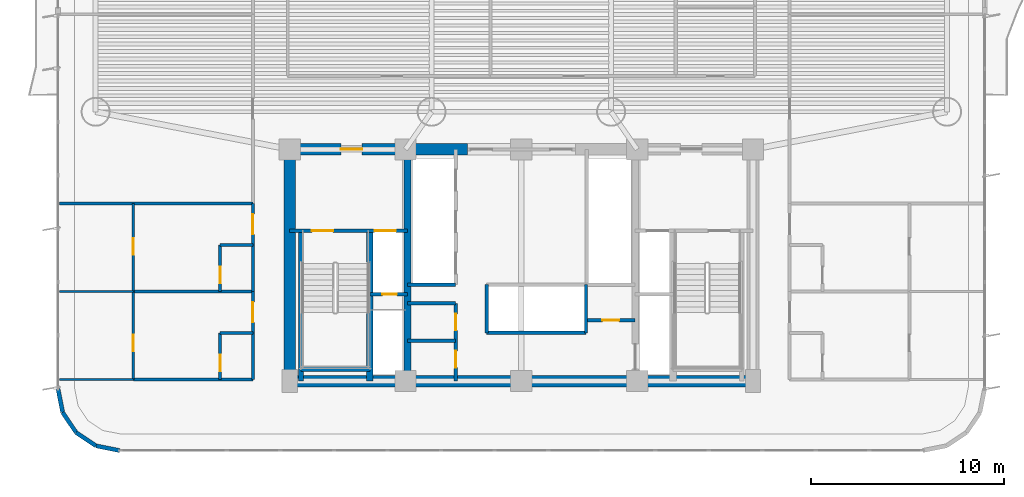
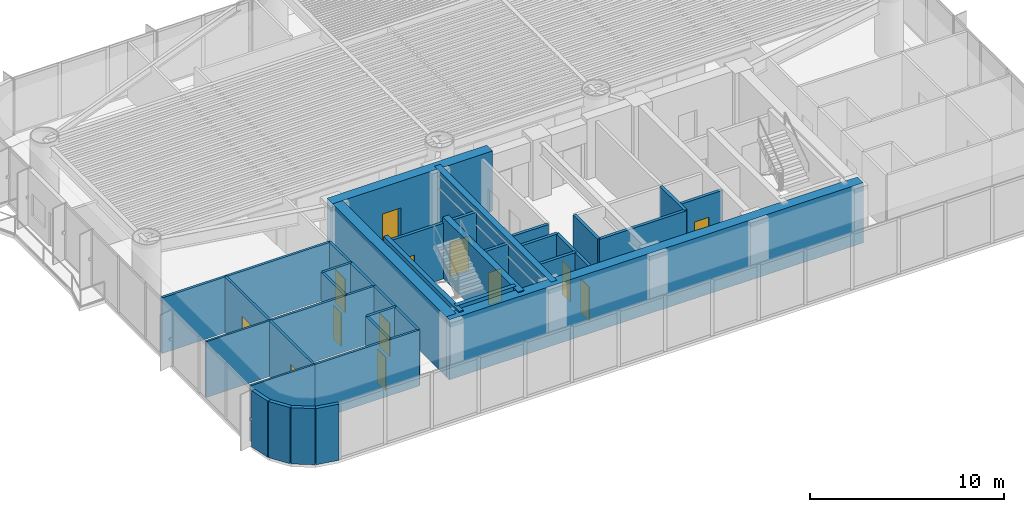
# One storey, part 10 of 17: 36 walls, 13 doors, 13 openings.
"""IFC4 building model written with IfcOpenShell, lengths in metres."""

from ifc_helpers import new_model, si_unit, direction, frame, frame_2d, origin, origin_2d, place, context, subcontext, project, spatial, rectangle, extrude, source, transform, mapped, material, layer, layer_set, type_object, element, fill, save


model = new_model("IFC4")

# Units and contexts
model_context = context("Model", 3, precision=1e-05, world=origin(), true_north=direction((0.0, 1.0)))
body_context = subcontext(model_context, "Body", "Model", "MODEL_VIEW")
ifc_project = project(units=[si_unit("LENGTHUNIT", "METRE"), si_unit("AREAUNIT", "SQUARE_METRE"), si_unit("VOLUMEUNIT", "CUBIC_METRE"), si_unit("PLANEANGLEUNIT", "RADIAN"), si_unit("MASSUNIT", "GRAM", prefix="KILO")], contexts=[model_context])

# Site, building, storey
site_placement = place(None, origin())
site = spatial("IfcSite", under=ifc_project, at=site_placement, CompositionType="ELEMENT")
building_placement = place(site_placement, origin())
building = spatial("IfcBuilding", under=site, at=building_placement, Name="Brelvock Crest Care Tower", CompositionType="ELEMENT")
storey_placement = place(building_placement, frame((0.0, 0.0, 45.89990234375)))
storey = spatial("IfcBuildingStorey", under=building, at=storey_placement, Name="L11", CompositionType="ELEMENT", Elevation=45.89990234375)

# Walls
ifc_material_1 = material(Name="Concrete S80 (80 MPa)", Category="concrete")
ifc_layer_1 = layer(ifc_material_1, 0.60009765625, Name="WL-CS1")
ifc_layer_set_1 = layer_set([ifc_layer_1], Name="Concrete S80 (80 MPa)")
wall_type_1 = type_object("IfcWallType", Name="WL-CS1", PredefinedType="SHEAR", material=ifc_layer_set_1)
wall_1_placement = place(storey_placement, frame((48.300048828125, 6.0, 0.0), z_axis=(0.0, 0.0, 1.0), x_axis=(-1.0, 0.0, 0.0)))
element("IfcWall", 1, at=wall_1_placement, inside=storey, type_object=wall_type_1, Name="L11 Core South Shear Wall", PredefinedType="SHEAR", context=body_context, shape_type="SweptSolid", body=[
    extrude(rectangle(XDim=24.60009765625, YDim=0.60009765625, at=frame_2d((12.300048828125, 0.0))), origin(), (0.0, 0.0, 1.0), 3.780029296875),
])
wall_2_placement = place(storey_placement, frame((24.0, 6.0, 0.0), z_axis=(0.0, 0.0, 1.0), x_axis=(0.0, 1.0, 0.0)))
element("IfcWall", 2, at=wall_2_placement, inside=storey, type_object=wall_type_1, Name="L11 Core West Shear Wall", PredefinedType="SHEAR", context=body_context, shape_type="SweptSolid", body=[
    extrude(rectangle(XDim=12.0, YDim=0.60009765625, at=frame_2d((6.0, 0.0))), origin(), (0.0, 0.0, 1.0), 3.780029296875),
])

# Wall, opening, door
wall_3_placement = place(storey_placement, frame((23.699951171875, 18.0, 0.0), z_axis=(0.0, 0.0, 1.0), x_axis=(1.0, 0.0, 0.0)))
wall_3 = element("IfcWall", 3, at=wall_3_placement, inside=storey, type_object=wall_type_1, Name="L11 Core North-West Shear Wall", PredefinedType="SHEAR", context=body_context, shape_type="SweptSolid", body=[
    extrude(rectangle(XDim=9.5, YDim=0.60009765625, at=frame_2d((4.75, 0.0))), origin(), (0.0, 0.0, 1.0), 3.780029296875),
])
opening_1_placement = place(wall_3_placement, frame((2.949951171875, 0.0, 0.0)))
opening_1 = element("IfcOpeningElement", 4, at=opening_1_placement, cuts=wall_3, Name="Opening FD-1", PredefinedType="OPENING", context=body_context, shape_type="SweptSolid", body=[
    extrude(rectangle(XDim=1.10009765625, YDim=2.10009765625, at=origin_2d()), frame((0.550048828125, 0.31005859375, 1.050048828125), z_axis=(0.0, -1.0, 0.0), x_axis=(1.0, 0.0, 0.0)), (0.0, 0.0, 1.0), 0.6201171875),
])
ifc_material_2 = material(Name="Steel Grade 350", Category="steel")
door_type_1 = type_object("IfcDoorType", Name="DR-FFL1", OperationType="NOTDEFINED", PredefinedType="DOOR", material=ifc_material_2)
shared_shape_1 = source(origin(), body_context, "Body", "SweptSolid", [
    extrude(rectangle(XDim=1.10009765625, YDim=2.10009765625, at=origin_2d()), frame((0.550048828125, 0.02490234375, 1.050048828125), z_axis=(0.0, -1.0, 0.0), x_axis=(1.0, 0.0, 0.0)), (0.0, 0.0, 1.0), 0.050048828125),
])
door_1_placement = place(opening_1_placement, origin())
door_1 = element("IfcDoor", 5, at=door_1_placement, inside=storey, type_object=door_type_1, Name="L11 Firefighting Lobby FFL-1 Exit Door", OperationType="SINGLE_SWING_LEFT", OverallHeight=2.10009765625, OverallWidth=1.10009765625, PredefinedType="DOOR", context=body_context, shape_type="MappedRepresentation", body=[
    mapped(shared_shape_1, transform((0.0, 0.0, 0.0), x_axis=(1.0, 0.0, 0.0), y_axis=(0.0, 1.0, 0.0), z_axis=(0.0, 0.0, 1.0), scale=1.0)),
])
fill(opening_1, door_1)

# Walls
ifc_layer_2 = layer(ifc_material_1, 0.35009765625, Name="WL-CS5")
ifc_layer_set_2 = layer_set([ifc_layer_2], Name="Concrete S80 (80 MPa)")
wall_type_2 = type_object("IfcWallType", Name="WL-CS5", PredefinedType="SHEAR", material=ifc_layer_set_2)
wall_4_placement = place(storey_placement, frame((30.10009765625, 6.0, 0.0), z_axis=(0.0, 0.0, 1.0), x_axis=(0.0, 1.0, 0.0)))
element("IfcWall", 6, at=wall_4_placement, inside=storey, type_object=wall_type_2, Name="L11 Core Internal Web Wall West", PredefinedType="SHEAR", context=body_context, shape_type="SweptSolid", body=[
    extrude(rectangle(XDim=12.0, YDim=0.35009765625, at=frame_2d((6.0, 0.0))), origin(), (0.0, 0.0, 1.0), 3.780029296875),
])
wall_5_placement = place(storey_placement, frame((28.14990234375, 6.0, 0.0), z_axis=(0.0, 0.0, 1.0), x_axis=(0.0, 1.0, 0.0)))
element("IfcWall", 7, at=wall_5_placement, inside=storey, type_object=wall_type_2, Name="L11 Core Stair ST-1 East Shear Wall", PredefinedType="SHEAR", context=body_context, shape_type="SweptSolid", body=[
    extrude(rectangle(XDim=7.780029296875, YDim=0.35009765625, at=frame_2d((3.89013671875, 0.0))), origin(), (0.0, 0.0, 1.0), 3.85009765625),
])
ifc_layer_3 = layer(ifc_material_1, 0.25, Name="WL-CS6")
ifc_layer_set_3 = layer_set([ifc_layer_3], Name="Concrete S80 (80 MPa)")
wall_type_3 = type_object("IfcWallType", Name="WL-CS6", PredefinedType="SHEAR", material=ifc_layer_set_3)
wall_6_placement = place(storey_placement, frame((24.580078125, 6.0, 0.0), z_axis=(0.0, 0.0, 1.0), x_axis=(0.0, 1.0, 0.0)))
element("IfcWall", 8, at=wall_6_placement, inside=storey, type_object=wall_type_3, Name="L11 Core Stair ST-1 West Shear Wall", PredefinedType="SHEAR", context=body_context, shape_type="SweptSolid", body=[
    extrude(rectangle(XDim=7.780029296875, YDim=0.25, at=frame_2d((3.89013671875, 0.0))), origin(), (0.0, 0.0, 1.0), 3.85009765625),
])
wall_7_placement = place(storey_placement, frame((24.580078125, 6.6201171875, 0.0), z_axis=(0.0, 0.0, 1.0), x_axis=(1.0, 0.0, 0.0)))
element("IfcWall", 9, at=wall_7_placement, inside=storey, type_object=wall_type_3, Name="L11 Core Stair ST-1 South Shear Wall", PredefinedType="SHEAR", context=body_context, shape_type="SweptSolid", body=[
    extrude(rectangle(XDim=3.56982421875, YDim=0.25, at=frame_2d((1.784912109375, 0.0))), origin(), (0.0, 0.0, 1.0), 3.85009765625),
])
ifc_material_3 = material(Name="Precast concrete N40 (40 MPa)", Category="concrete")
ifc_layer_4 = layer(ifc_material_3, 0.215087890625, Name="WL-EX2")
ifc_layer_set_4 = layer_set([ifc_layer_4], Name="Precast concrete N40 (40 MPa)")
wall_type_4 = type_object("IfcWallType", Name="WL-EX2", PredefinedType="SOLIDWALL", material=ifc_layer_set_4)
for number, where, z_axis, x_axis, name in (
    (10, (15.199951171875, 2.39990234375, 0.0), (0.0, 0.0, 1.0), (-0.980775717779, 0.195138390419, 0.0), "L11 Rounded Corner Wall 09"),
    (11, (13.975341796875, 2.6435546875, 0.0), (0.0, 0.0, 1.0), (-0.831387912822, 0.555692485475, 0.0), "L11 Rounded Corner Wall 10"),
    (12, (12.937255859375, 3.33740234375, 0.0), (0.0, 0.0, 1.0), (-0.555557312883, 0.831478245117, 0.0), "L11 Rounded Corner Wall 11"),
    (13, (12.24365234375, 4.37548828125, 0.0), (0.0, 0.0, 1.0), (-0.195138390419, 0.980775717779, 0.0), "L11 Rounded Corner Wall 12"),
):
    element("IfcWall", number, at=place(storey_placement, frame(where, z_axis=z_axis, x_axis=x_axis)), inside=storey, type_object=wall_type_4, Name=name, PredefinedType="SOLIDWALL", context=body_context, shape_type="SweptSolid", body=[
        extrude(rectangle(XDim=1.24853515625, YDim=0.215087890625, at=frame_2d((0.624267578125, 0.0))), origin(), (0.0, 0.0, 1.0), 3.530029296875),
    ])
ifc_material_4 = material(Name="Masonry Blockwork Acoustic Partition", Category="masonry")
ifc_layer_5 = layer(ifc_material_4, 0.14990234375, Name="WL-INT1")
ifc_layer_set_5 = layer_set([ifc_layer_5], Name="Masonry Blockwork Acoustic Partition")
wall_type_5 = type_object("IfcWallType", Name="WL-INT1", PredefinedType="PARTITIONING", material=ifc_layer_set_5)
for number, where, z_axis, x_axis, name in (
    (14, (15.89990234375, 6.080078125, 0.0), (0.0, 0.0, 1.0), (1.0, 0.0, 0.0), "L11 Interior Wall WL-BX-L11-CS-WR1A-S"),
    (15, (15.89990234375, 10.639892578125, 0.0), (0.0, 0.0, 1.0), (1.0, 0.0, 0.0), "L11 Interior Wall WL-BX-L11-CS-WR1A-N"),
):
    element("IfcWall", number, at=place(storey_placement, frame(where, z_axis=z_axis, x_axis=x_axis)), inside=storey, type_object=wall_type_5, Name=name, PredefinedType="PARTITIONING", context=body_context, shape_type="SweptSolid", body=[
        extrude(rectangle(XDim=6.2001953125, YDim=0.14990234375, at=frame_2d((3.10009765625, 0.0))), origin(), (0.0, 0.0, 1.0), 3.5),
    ])
wall_8_placement = place(storey_placement, frame((12.080078125, 15.199951171875, 0.0), z_axis=(0.0, 0.0, 1.0), x_axis=(1.0, 0.0, 0.0)))
element("IfcWall", 16, at=wall_8_placement, inside=storey, type_object=wall_type_5, Name="L11 Interior Wall WL-BX-L11-WCL2-S", PredefinedType="PARTITIONING", context=body_context, shape_type="SweptSolid", body=[
    extrude(rectangle(XDim=10.02001953125, YDim=0.14990234375, at=frame_2d((5.010009765625, 0.0))), origin(), (0.0, 0.0, 1.0), 3.5),
])

# Wall, opening, door
wall_9_placement = place(storey_placement, frame((15.89990234375, 6.080078125, 0.0), z_axis=(0.0, 0.0, 1.0), x_axis=(0.0, 1.0, 0.0)))
wall_9 = element("IfcWall", 17, at=wall_9_placement, inside=storey, type_object=wall_type_5, Name="L11 Interior Wall WL-RM-L11-WR1AS", PredefinedType="PARTITIONING", context=body_context, shape_type="SweptSolid", body=[
    extrude(rectangle(XDim=4.559814453125, YDim=0.14990234375, at=frame_2d((2.27978515625, 0.0))), origin(), (0.0, 0.0, 1.0), 3.5),
])
opening_2_placement = place(wall_9_placement, frame((1.4599609375, 0.0, 0.0)))
opening_2 = element("IfcOpeningElement", 18, at=opening_2_placement, cuts=wall_9, Name="Opening ID-1", PredefinedType="OPENING", context=body_context, shape_type="SweptSolid", body=[
    extrude(rectangle(XDim=0.860107421875, YDim=2.10009765625, at=origin_2d()), frame((0.43017578125, 0.0849609375, 1.050048828125), z_axis=(0.0, -1.0, 0.0), x_axis=(1.0, 0.0, 0.0)), (0.0, 0.0, 1.0), 0.169921875),
])
ifc_material_5 = material(Name="Engineered Hardwood Timber", Category="wood")
door_type_2 = type_object("IfcDoorType", Name="DR-INT1", OperationType="NOTDEFINED", PredefinedType="DOOR", material=ifc_material_5)
shared_shape_2 = source(origin(), body_context, "Body", "SweptSolid", [
    extrude(rectangle(XDim=0.860107421875, YDim=2.10009765625, at=origin_2d()), frame((0.43017578125, 0.02490234375, 1.050048828125), z_axis=(0.0, -1.0, 0.0), x_axis=(1.0, 0.0, 0.0)), (0.0, 0.0, 1.0), 0.050048828125),
])
door_2_placement = place(opening_2_placement, origin())
door_2 = element("IfcDoor", 19, at=door_2_placement, inside=storey, type_object=door_type_2, Name="L11 Rehab Recovery Mobility Store Door WR1AS", OperationType="SINGLE_SWING_LEFT", OverallHeight=2.10009765625, OverallWidth=0.860107421875, PredefinedType="DOOR", context=body_context, shape_type="MappedRepresentation", body=[
    mapped(shared_shape_2, transform((0.0, 0.0, 0.0), x_axis=(1.0, 0.0, 0.0), y_axis=(0.0, 1.0, 0.0), z_axis=(0.0, 0.0, 1.0), scale=1.0)),
])
fill(opening_2, door_2)

wall_10_placement = place(storey_placement, frame((15.89990234375, 10.639892578125, 0.0), z_axis=(0.0, 0.0, 1.0), x_axis=(0.0, 1.0, 0.0)))
wall_10 = element("IfcWall", 20, at=wall_10_placement, inside=storey, type_object=wall_type_5, Name="L11 Interior Wall WL-RM-L11-WR1BS", PredefinedType="PARTITIONING", context=body_context, shape_type="SweptSolid", body=[
    extrude(rectangle(XDim=4.56005859375, YDim=0.14990234375, at=frame_2d((2.280029296875, 0.0))), origin(), (0.0, 0.0, 1.0), 3.5),
])
opening_3_placement = place(wall_10_placement, frame((1.89990234375, 0.0, 0.0)))
opening_3 = element("IfcOpeningElement", 21, at=opening_3_placement, cuts=wall_10, Name="Opening ID-1", PredefinedType="OPENING", context=body_context, shape_type="SweptSolid", body=[
    extrude(rectangle(XDim=0.860107421875, YDim=2.10009765625, at=origin_2d()), frame((0.43017578125, 0.0849609375, 1.050048828125), z_axis=(0.0, -1.0, 0.0), x_axis=(1.0, 0.0, 0.0)), (0.0, 0.0, 1.0), 0.169921875),
])
door_3_placement = place(opening_3_placement, origin())
door_3 = element("IfcDoor", 22, at=door_3_placement, inside=storey, type_object=door_type_2, Name="L11 Rehab Recovery Mobility Store Door WR1BS", OperationType="SINGLE_SWING_LEFT", OverallHeight=2.10009765625, OverallWidth=0.860107421875, PredefinedType="DOOR", context=body_context, shape_type="MappedRepresentation", body=[
    mapped(shared_shape_2, transform((0.0, 0.0, 0.0), x_axis=(1.0, 0.0, 0.0), y_axis=(0.0, 1.0, 0.0), z_axis=(0.0, 0.0, 1.0), scale=1.0)),
])
fill(opening_3, door_3)

wall_11_placement = place(storey_placement, frame((22.10009765625, 8.47998046875, 0.0), z_axis=(0.0, 0.0, 1.0), x_axis=(0.0, 1.0, 0.0)))
wall_11 = element("IfcWall", 23, at=wall_11_placement, inside=storey, type_object=wall_type_5, Name="L11 Interior Wall WL-CENT-L11-WR1A", PredefinedType="PARTITIONING", context=body_context, shape_type="SweptSolid", body=[
    extrude(rectangle(XDim=2.159912109375, YDim=0.14990234375, at=frame_2d((1.080078125, 0.0))), origin(), (0.0, 0.0, 1.0), 3.5),
])
opening_4_placement = place(wall_11_placement, frame((0.56005859375, 0.0, 0.0)))
opening_4 = element("IfcOpeningElement", 24, at=opening_4_placement, cuts=wall_11, Name="Opening CD-1", PredefinedType="OPENING", context=body_context, shape_type="SweptSolid", body=[
    extrude(rectangle(XDim=1.050048828125, YDim=2.10009765625, at=origin_2d()), frame((0.52490234375, 0.0849609375, 1.050048828125), z_axis=(0.0, -1.0, 0.0), x_axis=(1.0, 0.0, 0.0)), (0.0, 0.0, 1.0), 0.169921875),
])
door_type_3 = type_object("IfcDoorType", Name="DR-CARE1", OperationType="NOTDEFINED", PredefinedType="DOOR", material=ifc_material_5)
shared_shape_3 = source(origin(), body_context, "Body", "SweptSolid", [
    extrude(rectangle(XDim=1.050048828125, YDim=2.10009765625, at=origin_2d()), frame((0.52490234375, 0.02490234375, 1.050048828125), z_axis=(0.0, -1.0, 0.0), x_axis=(1.0, 0.0, 0.0)), (0.0, 0.0, 1.0), 0.050048828125),
])
door_4_placement = place(opening_4_placement, origin())
door_4 = element("IfcDoor", 25, at=door_4_placement, inside=storey, type_object=door_type_3, Name="L11 Care Suite Door WR1A", OperationType="SINGLE_SWING_LEFT", OverallHeight=2.10009765625, OverallWidth=1.050048828125, PredefinedType="DOOR", context=body_context, shape_type="MappedRepresentation", body=[
    mapped(shared_shape_3, transform((0.0, 0.0, 0.0), x_axis=(1.0, 0.0, 0.0), y_axis=(0.0, 1.0, 0.0), z_axis=(0.0, 0.0, 1.0), scale=1.0)),
])
fill(opening_4, door_4)

wall_12_placement = place(storey_placement, frame((22.10009765625, 13.0400390625, 0.0), z_axis=(0.0, 0.0, 1.0), x_axis=(0.0, 1.0, 0.0)))
wall_12 = element("IfcWall", 26, at=wall_12_placement, inside=storey, type_object=wall_type_5, Name="L11 Interior Wall WL-CENT-L11-WR1B", PredefinedType="PARTITIONING", context=body_context, shape_type="SweptSolid", body=[
    extrude(rectangle(XDim=2.159912109375, YDim=0.14990234375, at=frame_2d((1.080078125, 0.0))), origin(), (0.0, 0.0, 1.0), 3.5),
])
opening_5_placement = place(wall_12_placement, frame((0.56005859375, 0.0, 0.0)))
opening_5 = element("IfcOpeningElement", 27, at=opening_5_placement, cuts=wall_12, Name="Opening CD-1", PredefinedType="OPENING", context=body_context, shape_type="SweptSolid", body=[
    extrude(rectangle(XDim=1.050048828125, YDim=2.10009765625, at=origin_2d()), frame((0.52490234375, 0.0849609375, 1.050048828125), z_axis=(0.0, -1.0, 0.0), x_axis=(1.0, 0.0, 0.0)), (0.0, 0.0, 1.0), 0.169921875),
])
door_5_placement = place(opening_5_placement, origin())
door_5 = element("IfcDoor", 28, at=door_5_placement, inside=storey, type_object=door_type_3, Name="L11 Care Suite Door WR1B", OperationType="SINGLE_SWING_LEFT", OverallHeight=2.10009765625, OverallWidth=1.050048828125, PredefinedType="DOOR", context=body_context, shape_type="MappedRepresentation", body=[
    mapped(shared_shape_3, transform((0.0, 0.0, 0.0), x_axis=(1.0, 0.0, 0.0), y_axis=(0.0, 1.0, 0.0), z_axis=(0.0, 0.0, 1.0), scale=1.0)),
])
fill(opening_5, door_5)

# Walls
ifc_material_6 = material(Name="Gypsum Plasterboard Partition", Category="gypsum")
ifc_layer_6 = layer(ifc_material_6, 0.1201171875, Name="WL-INT2")
ifc_layer_set_6 = layer_set([ifc_layer_6], Name="Gypsum Plasterboard Partition")
wall_type_6 = type_object("IfcWallType", Name="WL-INT2", PredefinedType="PARTITIONING", material=ifc_layer_set_6)
for number, where, z_axis, x_axis, name in (
    (29, (12.080078125, 6.080078125, 0.0), (0.0, 0.0, 1.0), (1.0, 0.0, 0.0), "L11 Interior Wall WL-BX-L11-WR1AS-S"),
    (30, (12.080078125, 10.639892578125, 0.0), (0.0, 0.0, 1.0), (1.0, 0.0, 0.0), "L11 Interior Wall WL-BX-L11-WR1AS-N"),
):
    element("IfcWall", number, at=place(storey_placement, frame(where, z_axis=z_axis, x_axis=x_axis)), inside=storey, type_object=wall_type_6, Name=name, PredefinedType="PARTITIONING", context=body_context, shape_type="SweptSolid", body=[
        extrude(rectangle(XDim=3.81982421875, YDim=0.1201171875, at=frame_2d((1.909912109375, 0.0))), origin(), (0.0, 0.0, 1.0), 3.5),
    ])
ifc_layer_7 = layer(ifc_material_6, 0.159912109375, Name="WL-PLM1")
ifc_layer_set_7 = layer_set([ifc_layer_7], Name="Gypsum Plasterboard Partition")
wall_type_7 = type_object("IfcWallType", Name="WL-PLM1", PredefinedType="PLUMBINGWALL", material=ifc_layer_set_7)
for number, where, z_axis, x_axis, name in (
    (31, (20.39990234375, 8.47998046875, 0.0), (0.0, 0.0, 1.0), (1.0, 0.0, 0.0), "L11 Interior Wall WL-CENS2-L11-WR1A"),
    (32, (20.39990234375, 13.0400390625, 0.0), (0.0, 0.0, 1.0), (1.0, 0.0, 0.0), "L11 Interior Wall WL-CENS2-L11-WR1B"),
):
    element("IfcWall", number, at=place(storey_placement, frame(where, z_axis=z_axis, x_axis=x_axis)), inside=storey, type_object=wall_type_7, Name=name, PredefinedType="PLUMBINGWALL", context=body_context, shape_type="SweptSolid", body=[
        extrude(rectangle(XDim=1.7001953125, YDim=0.159912109375, at=frame_2d((0.85009765625, 0.0))), origin(), (0.0, 0.0, 1.0), 3.5),
    ])

# Wall, opening, door
wall_13_placement = place(storey_placement, frame((20.39990234375, 6.080078125, 0.0), z_axis=(0.0, 0.0, 1.0), x_axis=(0.0, 1.0, 0.0)))
wall_13 = element("IfcWall", 33, at=wall_13_placement, inside=storey, type_object=wall_type_7, Name="L11 Interior Wall WL-CENS1-L11-WR1A", PredefinedType="PLUMBINGWALL", context=body_context, shape_type="SweptSolid", body=[
    extrude(rectangle(XDim=2.39990234375, YDim=0.159912109375, at=frame_2d((1.199951171875, 0.0))), origin(), (0.0, 0.0, 1.0), 3.5),
])
opening_6_placement = place(wall_13_placement, frame((0.419921875, 0.0, 0.0)))
opening_6 = element("IfcOpeningElement", 34, at=opening_6_placement, cuts=wall_13, Name="Opening WD-1", PredefinedType="OPENING", context=body_context, shape_type="SweptSolid", body=[
    extrude(rectangle(XDim=0.860107421875, YDim=2.10009765625, at=origin_2d()), frame((0.43017578125, 0.08984375, 1.050048828125), z_axis=(0.0, -1.0, 0.0), x_axis=(1.0, 0.0, 0.0)), (0.0, 0.0, 1.0), 0.179931640625),
])
door_type_4 = type_object("IfcDoorType", Name="DR-WC1", OperationType="NOTDEFINED", PredefinedType="DOOR", material=ifc_material_5)
shared_shape_4 = source(origin(), body_context, "Body", "SweptSolid", [
    extrude(rectangle(XDim=0.860107421875, YDim=2.10009765625, at=origin_2d()), frame((0.43017578125, 0.02490234375, 1.050048828125), z_axis=(0.0, -1.0, 0.0), x_axis=(1.0, 0.0, 0.0)), (0.0, 0.0, 1.0), 0.050048828125),
])
door_6_placement = place(opening_6_placement, origin())
door_6 = element("IfcDoor", 35, at=door_6_placement, inside=storey, type_object=door_type_4, Name="L11 Care En-Suite Door WR1A", OperationType="SINGLE_SWING_LEFT", OverallHeight=2.10009765625, OverallWidth=0.860107421875, PredefinedType="DOOR", context=body_context, shape_type="MappedRepresentation", body=[
    mapped(shared_shape_4, transform((0.0, 0.0, 0.0), x_axis=(1.0, 0.0, 0.0), y_axis=(0.0, 1.0, 0.0), z_axis=(0.0, 0.0, 1.0), scale=1.0)),
])
fill(opening_6, door_6)

wall_14_placement = place(storey_placement, frame((20.39990234375, 10.639892578125, 0.0), z_axis=(0.0, 0.0, 1.0), x_axis=(0.0, 1.0, 0.0)))
wall_14 = element("IfcWall", 36, at=wall_14_placement, inside=storey, type_object=wall_type_7, Name="L11 Interior Wall WL-CENS1-L11-WR1B", PredefinedType="PLUMBINGWALL", context=body_context, shape_type="SweptSolid", body=[
    extrude(rectangle(XDim=2.400146484375, YDim=0.159912109375, at=frame_2d((1.2001953125, 0.0))), origin(), (0.0, 0.0, 1.0), 3.5),
])
opening_7_placement = place(wall_14_placement, frame((0.419921875, 0.0, 0.0)))
opening_7 = element("IfcOpeningElement", 37, at=opening_7_placement, cuts=wall_14, Name="Opening WD-1", PredefinedType="OPENING", context=body_context, shape_type="SweptSolid", body=[
    extrude(rectangle(XDim=0.860107421875, YDim=2.10009765625, at=origin_2d()), frame((0.43017578125, 0.08984375, 1.050048828125), z_axis=(0.0, -1.0, 0.0), x_axis=(1.0, 0.0, 0.0)), (0.0, 0.0, 1.0), 0.179931640625),
])
door_7_placement = place(opening_7_placement, origin())
door_7 = element("IfcDoor", 38, at=door_7_placement, inside=storey, type_object=door_type_4, Name="L11 Care En-Suite Door WR1B", OperationType="SINGLE_SWING_LEFT", OverallHeight=2.10009765625, OverallWidth=0.860107421875, PredefinedType="DOOR", context=body_context, shape_type="MappedRepresentation", body=[
    mapped(shared_shape_4, transform((0.0, 0.0, 0.0), x_axis=(1.0, 0.0, 0.0), y_axis=(0.0, 1.0, 0.0), z_axis=(0.0, 0.0, 1.0), scale=1.0)),
])
fill(opening_7, door_7)

# Walls
wall_15_placement = place(storey_placement, frame((22.10009765625, 6.080078125, 0.0), z_axis=(0.0, 0.0, 1.0), x_axis=(0.0, 1.0, 0.0)))
element("IfcWall", 39, at=wall_15_placement, inside=storey, type_object=wall_type_7, Name="L11 Interior Wall WL-CENS0-L11-WR1A", PredefinedType="PLUMBINGWALL", context=body_context, shape_type="SweptSolid", body=[
    extrude(rectangle(XDim=2.39990234375, YDim=0.159912109375, at=frame_2d((1.199951171875, 0.0))), origin(), (0.0, 0.0, 1.0), 3.5),
])
wall_16_placement = place(storey_placement, frame((22.10009765625, 10.639892578125, 0.0), z_axis=(0.0, 0.0, 1.0), x_axis=(0.0, 1.0, 0.0)))
element("IfcWall", 40, at=wall_16_placement, inside=storey, type_object=wall_type_7, Name="L11 Interior Wall WL-CENS0-L11-WR1B", PredefinedType="PLUMBINGWALL", context=body_context, shape_type="SweptSolid", body=[
    extrude(rectangle(XDim=2.400146484375, YDim=0.159912109375, at=frame_2d((1.2001953125, 0.0))), origin(), (0.0, 0.0, 1.0), 3.5),
])
ifc_layer_8 = layer(ifc_material_4, 0.179931640625, Name="WL-SHF1")
ifc_layer_set_8 = layer_set([ifc_layer_8], Name="Masonry Blockwork Acoustic Partition")
wall_type_8 = type_object("IfcWallType", Name="WL-SHF1", PredefinedType="PARTITIONING", material=ifc_layer_set_8)
wall_17_placement = place(storey_placement, frame((34.199951171875, 8.5, 0.0), z_axis=(0.0, 0.0, 1.0), x_axis=(1.0, 0.0, 0.0)))
element("IfcWall", 41, at=wall_17_placement, inside=storey, type_object=wall_type_8, Name="L11 Interior Wall WL-PLM-S-L11", PredefinedType="PARTITIONING", context=body_context, shape_type="SweptSolid", body=[
    extrude(rectangle(XDim=5.150146484375, YDim=0.179931640625, at=frame_2d((2.5751953125, 0.0))), origin(), (0.0, 0.0, 1.0), 3.5),
])
for number, where, z_axis, x_axis, name in (
    (42, (34.199951171875, 8.5, 0.0), (0.0, 0.0, 1.0), (0.0, 1.0, 0.0), "L11 Interior Wall WL-PLM-W-L11"),
    (43, (39.35009765625, 8.5, 0.0), (0.0, 0.0, 1.0), (0.0, 1.0, 0.0), "L11 Interior Wall WL-PLM-E-L11"),
    (44, (30.10009765625, 10.97998046875, 0.0), (0.0, 0.0, 1.0), (1.0, 0.0, 0.0), "L11 Interior Wall WL-CSBW-N-L11"),
    (45, (30.10009765625, 8.10009765625, 0.0), (0.0, 0.0, 1.0), (1.0, 0.0, 0.0), "L11 Interior Wall WL-CSBW-SP-L11"),
    (46, (30.10009765625, 10.02001953125, 0.0), (0.0, 0.0, 1.0), (1.0, 0.0, 0.0), "L11 Interior Wall WL-CSBW-N2-L11"),
):
    element("IfcWall", number, at=place(storey_placement, frame(where, z_axis=z_axis, x_axis=x_axis)), inside=storey, type_object=wall_type_8, Name=name, PredefinedType="PARTITIONING", context=body_context, shape_type="SweptSolid", body=[
        extrude(rectangle(XDim=2.5, YDim=0.179931640625, at=frame_2d((1.25, 0.0))), origin(), (0.0, 0.0, 1.0), 3.5),
    ])

# Wall, openings, doors
wall_18_placement = place(storey_placement, frame((32.60009765625, 6.0, 0.0), z_axis=(0.0, 0.0, 1.0), x_axis=(0.0, 1.0, 0.0)))
wall_18 = element("IfcWall", 47, at=wall_18_placement, inside=storey, type_object=wall_type_8, Name="L11 Interior Wall WL-CSBW-E-L11", PredefinedType="PARTITIONING", context=body_context, shape_type="SweptSolid", body=[
    extrude(rectangle(XDim=4.02001953125, YDim=0.179931640625, at=frame_2d((2.010009765625, 0.0))), origin(), (0.0, 0.0, 1.0), 3.5),
])
opening_8_placement = place(wall_18_placement, frame((0.699951171875, 0.0, 0.0)))
opening_8 = element("IfcOpeningElement", 48, at=opening_8_placement, cuts=wall_18, Name="Opening ID-1", PredefinedType="OPENING", context=body_context, shape_type="SweptSolid", body=[
    extrude(rectangle(XDim=0.860107421875, YDim=2.10009765625, at=origin_2d()), frame((0.43017578125, 0.10009765625, 1.050048828125), z_axis=(0.0, -1.0, 0.0), x_axis=(1.0, 0.0, 0.0)), (0.0, 0.0, 1.0), 0.199951171875),
])
opening_9_placement = place(wall_18_placement, frame((2.6201171875, 0.0, 0.0)))
opening_9 = element("IfcOpeningElement", 49, at=opening_9_placement, cuts=wall_18, Name="Opening ID-1", PredefinedType="OPENING", context=body_context, shape_type="SweptSolid", body=[
    extrude(rectangle(XDim=0.860107421875, YDim=2.10009765625, at=origin_2d()), frame((0.43017578125, 0.10009765625, 1.050048828125), z_axis=(0.0, -1.0, 0.0), x_axis=(1.0, 0.0, 0.0)), (0.0, 0.0, 1.0), 0.199951171875),
])
door_8_placement = place(opening_8_placement, origin())
door_8 = element("IfcDoor", 50, at=door_8_placement, inside=storey, type_object=door_type_2, Name="DR-CSBW1-L11", OperationType="SINGLE_SWING_LEFT", OverallHeight=2.10009765625, OverallWidth=0.860107421875, PredefinedType="DOOR", context=body_context, shape_type="MappedRepresentation", body=[
    mapped(shared_shape_2, transform((0.0, 0.0, 0.0), x_axis=(1.0, 0.0, 0.0), y_axis=(0.0, 1.0, 0.0), z_axis=(0.0, 0.0, 1.0), scale=1.0)),
])
fill(opening_8, door_8)
door_9_placement = place(opening_9_placement, origin())
door_9 = element("IfcDoor", 51, at=door_9_placement, inside=storey, type_object=door_type_2, Name="DR-CSBW2-L11", OperationType="SINGLE_SWING_RIGHT", OverallHeight=2.10009765625, OverallWidth=0.860107421875, PredefinedType="DOOR", context=body_context, shape_type="MappedRepresentation", body=[
    mapped(shared_shape_2, transform((0.0, 0.0, 0.0), x_axis=(1.0, 0.0, 0.0), y_axis=(0.0, 1.0, 0.0), z_axis=(0.0, 0.0, 1.0), scale=1.0)),
])
fill(opening_9, door_9)

# Wall, opening, door
wall_19_placement = place(storey_placement, frame((39.35009765625, 9.14990234375, 0.0), z_axis=(0.0, 0.0, 1.0), x_axis=(1.0, 0.0, 0.0)))
wall_19 = element("IfcWall", 52, at=wall_19_placement, inside=storey, type_object=wall_type_8, Name="L11 Interior Wall WL-CSBE-S-L11", PredefinedType="PARTITIONING", context=body_context, shape_type="SweptSolid", body=[
    extrude(rectangle(XDim=2.5498046875, YDim=0.179931640625, at=frame_2d((1.27490234375, 0.0))), origin(), (0.0, 0.0, 1.0), 3.5),
])
opening_10_placement = place(wall_19_placement, frame((0.85009765625, 0.0, 0.0)))
opening_10 = element("IfcOpeningElement", 53, at=opening_10_placement, cuts=wall_19, Name="Opening ID-1", PredefinedType="OPENING", context=body_context, shape_type="SweptSolid", body=[
    extrude(rectangle(XDim=0.860107421875, YDim=2.10009765625, at=origin_2d()), frame((0.43017578125, 0.10009765625, 1.050048828125), z_axis=(0.0, -1.0, 0.0), x_axis=(1.0, 0.0, 0.0)), (0.0, 0.0, 1.0), 0.199951171875),
])
door_10_placement = place(opening_10_placement, origin())
door_10 = element("IfcDoor", 54, at=door_10_placement, inside=storey, type_object=door_type_2, Name="DR-CSBE-L11", OperationType="SINGLE_SWING_LEFT", OverallHeight=2.10009765625, OverallWidth=0.860107421875, PredefinedType="DOOR", context=body_context, shape_type="MappedRepresentation", body=[
    mapped(shared_shape_2, transform((0.0, 0.0, 0.0), x_axis=(1.0, 0.0, 0.0), y_axis=(0.0, 1.0, 0.0), z_axis=(0.0, 0.0, 1.0), scale=1.0)),
])
fill(opening_10, door_10)

# Wall, openings, doors
wall_20_placement = place(storey_placement, frame((24.0, 13.780029296875, 0.0), z_axis=(0.0, 0.0, 1.0), x_axis=(1.0, 0.0, 0.0)))
wall_20 = element("IfcWall", 55, at=wall_20_placement, inside=storey, type_object=wall_type_8, Name="L11 Interior Wall WL-ST1-N-L11", PredefinedType="PARTITIONING", context=body_context, shape_type="SweptSolid", body=[
    extrude(rectangle(XDim=6.10009765625, YDim=0.179931640625, at=frame_2d((3.050048828125, 0.0))), origin(), (0.0, 0.0, 1.0), 3.5),
])
opening_11_placement = place(wall_20_placement, frame((1.14990234375, 0.0, 0.0)))
opening_11 = element("IfcOpeningElement", 56, at=opening_11_placement, cuts=wall_20, Name="Opening SD-1", PredefinedType="OPENING", context=body_context, shape_type="SweptSolid", body=[
    extrude(rectangle(XDim=1.10009765625, YDim=2.10009765625, at=origin_2d()), frame((0.550048828125, 0.10009765625, 1.050048828125), z_axis=(0.0, -1.0, 0.0), x_axis=(1.0, 0.0, 0.0)), (0.0, 0.0, 1.0), 0.199951171875),
])
opening_12_placement = place(wall_20_placement, frame((4.39990234375, 0.0, 0.0)))
opening_12 = element("IfcOpeningElement", 57, at=opening_12_placement, cuts=wall_20, Name="Opening LD", PredefinedType="OPENING", context=body_context, shape_type="SweptSolid", body=[
    extrude(rectangle(XDim=1.10009765625, YDim=2.10009765625, at=origin_2d()), frame((0.550048828125, 0.10009765625, 1.050048828125), z_axis=(0.0, -1.0, 0.0), x_axis=(1.0, 0.0, 0.0)), (0.0, 0.0, 1.0), 0.199951171875),
])
door_type_5 = type_object("IfcDoorType", Name="DR-ST1", OperationType="NOTDEFINED", PredefinedType="DOOR", material=ifc_material_2)
shared_shape_5 = source(origin(), body_context, "Body", "SweptSolid", [
    extrude(rectangle(XDim=1.10009765625, YDim=2.10009765625, at=origin_2d()), frame((0.550048828125, 0.02490234375, 1.050048828125), z_axis=(0.0, -1.0, 0.0), x_axis=(1.0, 0.0, 0.0)), (0.0, 0.0, 1.0), 0.050048828125),
])
door_11_placement = place(opening_11_placement, origin())
door_11 = element("IfcDoor", 58, at=door_11_placement, inside=storey, type_object=door_type_5, Name="L11 Fire Stair ST-1 Door", OperationType="SINGLE_SWING_LEFT", OverallHeight=2.10009765625, OverallWidth=1.10009765625, PredefinedType="DOOR", context=body_context, shape_type="MappedRepresentation", body=[
    mapped(shared_shape_5, transform((0.0, 0.0, 0.0), x_axis=(1.0, 0.0, 0.0), y_axis=(0.0, 1.0, 0.0), z_axis=(0.0, 0.0, 1.0), scale=1.0)),
])
fill(opening_11, door_11)
door_type_6 = type_object("IfcDoorType", Name="DR-LD1", OperationType="NOTDEFINED", PredefinedType="DOOR", material=ifc_material_2)
shared_shape_6 = source(origin(), body_context, "Body", "SweptSolid", [
    extrude(rectangle(XDim=1.10009765625, YDim=2.10009765625, at=origin_2d()), frame((0.550048828125, 0.02490234375, 1.050048828125), z_axis=(0.0, -1.0, 0.0), x_axis=(1.0, 0.0, 0.0)), (0.0, 0.0, 1.0), 0.050048828125),
])
door_12_placement = place(opening_12_placement, origin())
door_12 = element("IfcDoor", 59, at=door_12_placement, inside=storey, type_object=door_type_6, Name="L11 Firefighting Lift FFL-1 Landing Door", OperationType="SLIDING_TO_LEFT", OverallHeight=2.10009765625, OverallWidth=1.10009765625, PredefinedType="DOOR", context=body_context, shape_type="MappedRepresentation", body=[
    mapped(shared_shape_6, transform((0.0, 0.0, 0.0), x_axis=(1.0, 0.0, 0.0), y_axis=(0.0, 1.0, 0.0), z_axis=(0.0, 0.0, 1.0), scale=1.0)),
])
fill(opening_12, door_12)

# Wall, opening, door
wall_21_placement = place(storey_placement, frame((28.14990234375, 10.5, 0.0), z_axis=(0.0, 0.0, 1.0), x_axis=(1.0, 0.0, 0.0)))
wall_21 = element("IfcWall", 60, at=wall_21_placement, inside=storey, type_object=wall_type_8, Name="L11 Interior Wall WL-FFH1-S-L11", PredefinedType="PARTITIONING", context=body_context, shape_type="SweptSolid", body=[
    extrude(rectangle(XDim=1.9501953125, YDim=0.179931640625, at=frame_2d((0.97509765625, 0.0))), origin(), (0.0, 0.0, 1.0), 3.5),
])
opening_13_placement = place(wall_21_placement, frame((0.64990234375, 0.0, 0.0)))
opening_13 = element("IfcOpeningElement", 61, at=opening_13_placement, cuts=wall_21, Name="Opening RD-1", PredefinedType="OPENING", context=body_context, shape_type="SweptSolid", body=[
    extrude(rectangle(XDim=0.760009765625, YDim=2.050048828125, at=origin_2d()), frame((0.3798828125, 0.10009765625, 1.02490234375), z_axis=(0.0, -1.0, 0.0), x_axis=(1.0, 0.0, 0.0)), (0.0, 0.0, 1.0), 0.199951171875),
])
door_type_7 = type_object("IfcDoorType", Name="DR-RIS1", OperationType="NOTDEFINED", PredefinedType="DOOR", material=ifc_material_2)
shared_shape_7 = source(origin(), body_context, "Body", "SweptSolid", [
    extrude(rectangle(XDim=0.760009765625, YDim=2.050048828125, at=origin_2d()), frame((0.3798828125, 0.02490234375, 1.02490234375), z_axis=(0.0, -1.0, 0.0), x_axis=(1.0, 0.0, 0.0)), (0.0, 0.0, 1.0), 0.050048828125),
])
door_13_placement = place(opening_13_placement, origin())
door_13 = element("IfcDoor", 62, at=door_13_placement, inside=storey, type_object=door_type_7, Name="L11 Wet Fire Riser Access Door", OperationType="SINGLE_SWING_LEFT", OverallHeight=2.050048828125, OverallWidth=0.760009765625, PredefinedType="DOOR", context=body_context, shape_type="MappedRepresentation", body=[
    mapped(shared_shape_7, transform((0.0, 0.0, 0.0), x_axis=(1.0, 0.0, 0.0), y_axis=(0.0, 1.0, 0.0), z_axis=(0.0, 0.0, 1.0), scale=1.0)),
])
fill(opening_13, door_13)

save(model, "model.ifc")
